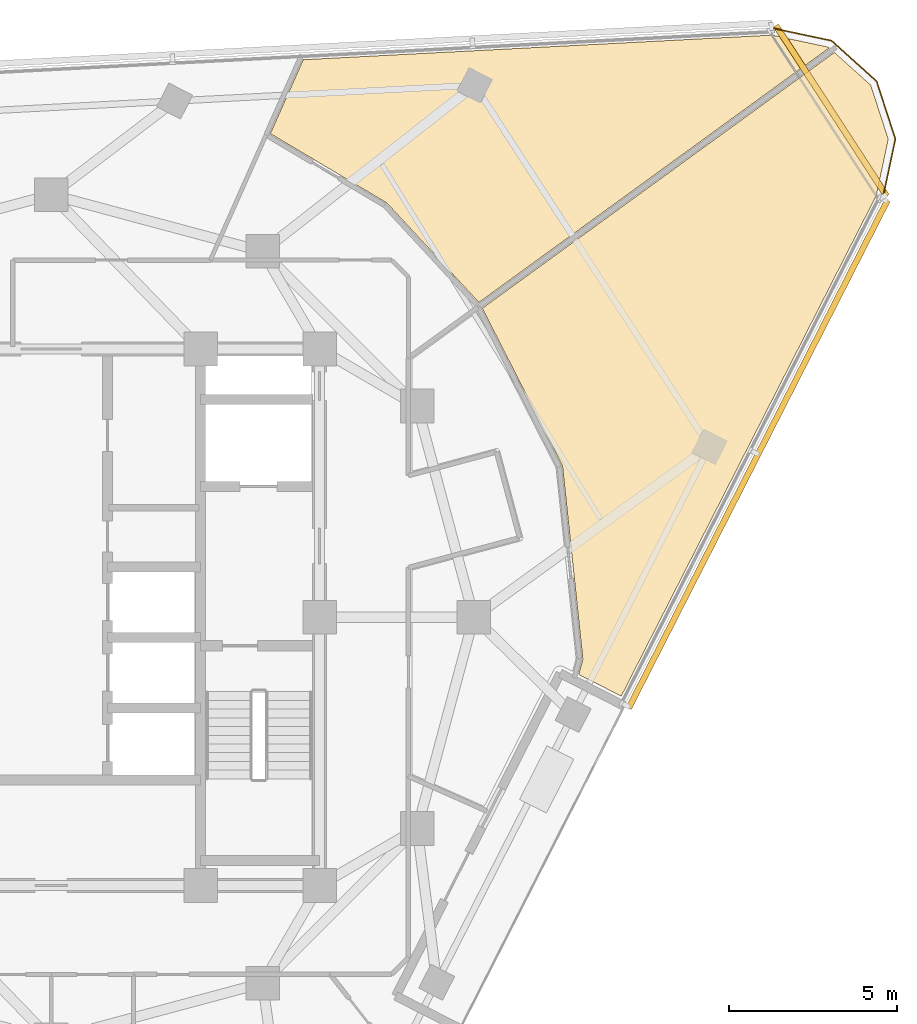
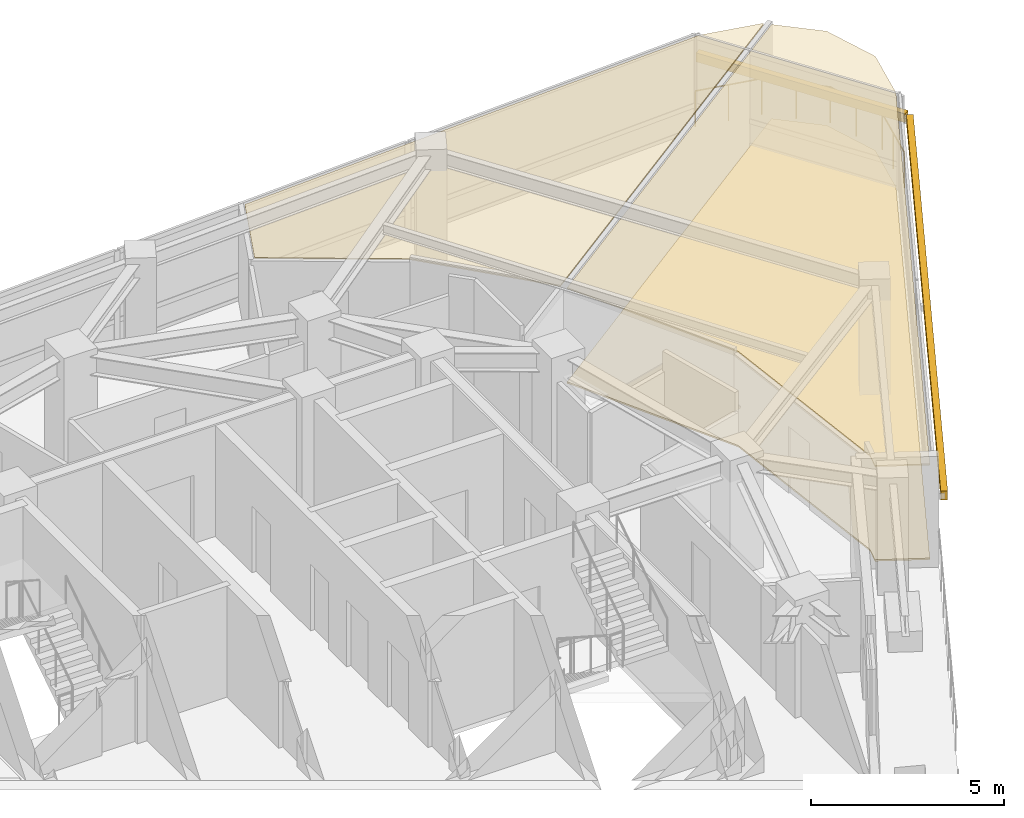
# One storey, part 15 of 15: 3 coverings, 2 shading devices, 1 railing.
"""IFC4 building model written with IfcOpenShell, lengths in metres."""

from ifc_helpers import new_model, si_unit, direction, frame, origin, origin_2d, place, context, subcontext, project, spatial, polyline, rectangle, circle, outline, extrude, material, layer, layer_set, type_object, element, save


model = new_model("IFC4")

# Units and contexts
model_context = context("Model", 3, precision=1e-05, world=origin(), true_north=direction((0.0, 1.0)))
body_context = subcontext(model_context, "Body", "Model", "MODEL_VIEW")
ifc_project = project(units=[si_unit("LENGTHUNIT", "METRE"), si_unit("AREAUNIT", "SQUARE_METRE"), si_unit("VOLUMEUNIT", "CUBIC_METRE"), si_unit("PLANEANGLEUNIT", "RADIAN"), si_unit("MASSUNIT", "GRAM", prefix="KILO")], contexts=[model_context])

# Site, building, storey
site_placement = place(None, origin())
site = spatial("IfcSite", under=ifc_project, at=site_placement, CompositionType="ELEMENT")
building_placement = place(site_placement, origin())
building = spatial("IfcBuilding", under=site, at=building_placement, Name="Terralouvre Media Tower", CompositionType="ELEMENT")
storey_placement = place(building_placement, frame((0.0, 0.0, 252.199951171875)))
storey = spatial("IfcBuildingStorey", under=building, at=storey_placement, Name="L65", CompositionType="ELEMENT", Elevation=252.199951171875)

# Coverings
ifc_material_1 = material(Name="Resilient elastomer acoustic broadcast studio flooring")
ifc_layer_1 = layer(ifc_material_1, 0.050048828125, Name="Broadcast Studio Acoustic Floating Floor FL-AC1")
ifc_layer_set_1 = layer_set([ifc_layer_1], Name="Resilient elastomer acoustic broadcast studio flooring")
covering_type_1 = type_object("IfcCoveringType", Name="Broadcast Studio Acoustic Floating Floor FL-AC1", PredefinedType="FLOORING", material=ifc_layer_set_1)
covering_1_placement = place(storey_placement, frame((0.0, 0.0, 0.0), z_axis=(0.0, 0.0, 1.0), x_axis=(0.45399049974, 0.891006524188, 0.0)))
element("IfcCovering", 1, at=covering_1_placement, inside=storey, type_object=covering_type_1, Name="L65 Chamber Rehearsal Creative Workshop 7 Acoustic Floating Floor", PredefinedType="FLOORING", context=body_context, shape_type="SweptSolid", body=[
    extrude(outline(polyline([(10.956298828125, -11.51953125), (10.95068359375, -11.52685546875), (10.9443359375, -11.533447265625), (10.937255859375, -11.539306640625), (10.929931640625, -11.544677734375), (6.1005859375, -14.68115234375), (6.092529296875, -14.685791015625), (6.084228515625, -14.689453125), (6.07568359375, -14.692626953125), (6.066650390625, -14.695068359375), (5.620361328125, -14.789794921875), (5.62060546875, -16.212646484375), (22.371337890625, -16.212646484375), (24.036376953125, -15.766845703125), (25.234130859375, -14.569091796875), (25.611083984375, -13.16162109375), (14.04541015625, -7.2685546875), (10.956298828125, -11.51953125)])), origin(), (0.0, 0.0, 1.0), 0.050048828125),
])
ifc_material_2 = material(Name="Perforated aluminium acoustic ceiling baffle", Category="aluminium")
ifc_layer_2 = layer(ifc_material_2, 0.0400390625, Name="Perforated Acoustic Metal Tile Ceiling CL-AC1")
ifc_layer_set_2 = layer_set([ifc_layer_2], Name="Perforated aluminium acoustic ceiling baffle")
covering_type_2 = type_object("IfcCoveringType", Name="Perforated Acoustic Metal Tile Ceiling CL-AC1", PredefinedType="CEILING", material=ifc_layer_set_2)
covering_2_placement = place(storey_placement, frame((0.0, 0.0, 2.97998046875), z_axis=(0.0, 0.0, 1.0), x_axis=(0.45399049974, 0.891006524188, 0.0)))
element("IfcCovering", 2, at=covering_2_placement, inside=storey, type_object=covering_type_2, Name="L65 Chamber Rehearsal Creative Workshop 7 Acoustic Ceiling", PredefinedType="CEILING", context=body_context, shape_type="SweptSolid", body=[
    extrude(outline(polyline([(10.956298828125, -11.51953125), (10.95068359375, -11.52685546875), (10.9443359375, -11.533447265625), (10.937255859375, -11.539306640625), (10.929931640625, -11.544677734375), (6.1005859375, -14.68115234375), (6.092529296875, -14.685791015625), (6.084228515625, -14.689453125), (6.07568359375, -14.692626953125), (6.066650390625, -14.695068359375), (5.620361328125, -14.789794921875), (5.62060546875, -16.212646484375), (22.371337890625, -16.212646484375), (24.036376953125, -15.766845703125), (25.234130859375, -14.569091796875), (25.611083984375, -13.16162109375), (14.04541015625, -7.2685546875), (10.956298828125, -11.51953125)])), origin(), (0.0, 0.0, 1.0), 0.0400390625),
])
covering_3_placement = place(storey_placement, frame((0.0, 0.0, 2.97998046875), z_axis=(0.0, 0.0, 1.0), x_axis=(0.45399049974, 0.891006524188, 0.0)))
element("IfcCovering", 3, at=covering_3_placement, inside=storey, type_object=covering_type_2, Name="L65 Publishing Production Workspace 8 Acoustic Ceiling", PredefinedType="CEILING", context=body_context, shape_type="SweptSolid", body=[
    extrude(outline(polyline([(15.554443359375, -3.291259765625), (15.55322265625, -3.30078125), (15.551513671875, -3.310302734375), (15.548583984375, -3.3193359375), (14.154296875, -7.099365234375), (25.663818359375, -12.9638671875), (25.672119140625, -12.932861328125), (25.226318359375, -11.267578125), (18.22705078125, 0.8544921875), (15.817626953125, 0.72900390625), (15.554443359375, -3.291259765625)])), origin(), (0.0, 0.0, 1.0), 0.0400390625),
])

# Railing
ifc_material_3 = material(Name="Stainless steel 316 handrail and balustrade", Category="steel")
ifc_layer_3 = layer(ifc_material_3, 0.06005859375, Name="Roof Edge Safety Guardrail GR-ROOF1")
ifc_layer_set_3 = layer_set([ifc_layer_3], Name="Stainless steel 316 handrail and balustrade")
railing_type = type_object("IfcRailingType", Name="Roof Edge Safety Guardrail GR-ROOF1", PredefinedType="GUARDRAIL", material=ifc_layer_set_3)
railing_placement = place(storey_placement, frame((24.797607421875, 12.491455078125, 0.0)))
element("IfcRailing", 4, at=railing_placement, inside=storey, type_object=railing_type, Name="L65 Wind-Corner Perimeter Safety Guardrail C1", PredefinedType="GUARDRAIL", context=body_context, shape_type="SweptSolid", body=[
    extrude(circle(Radius=0.02099609375, at=origin_2d()), frame((0.0, 0.0, 1.12890625), z_axis=(0.208129595218, 0.978101258354, 0.0), x_axis=(-0.978101258354, 0.208129595218, 0.0)), (0.0, 0.0, 1.0), 1.81103515625),
    extrude(circle(Radius=0.02099609375, at=origin_2d()), frame((0.376953125, 1.771484375, 1.12890625), z_axis=(-0.308857436997, 0.951108344833, 0.0), x_axis=(-0.951108344833, -0.308857436997, 0.0)), (0.0, 0.0, 1.0), 1.81103515625),
    extrude(circle(Radius=0.02099609375, at=origin_2d()), frame((-0.182373046875, 3.493896484375, 1.12890625), z_axis=(-0.743274034333, 0.668987077518, 0.0), x_axis=(-0.668987077518, -0.743274034333, 0.0)), (0.0, 0.0, 1.0), 1.810791015625),
    extrude(circle(Radius=0.02099609375, at=origin_2d()), frame((-1.5283203125, 4.705322265625, 1.12890625), z_axis=(-0.97818932942, 0.207715275821, 0.0), x_axis=(-0.207715275821, -0.97818932942, 0.0)), (0.0, 0.0, 1.0), 1.811279296875),
    extrude(circle(Radius=0.01904296875, at=origin_2d()), origin(), (0.0, 0.0, 1.0), 1.10791015625),
    extrude(circle(Radius=0.01904296875, at=origin_2d()), frame((0.1884765625, 0.8857421875, 0.0)), (0.0, 0.0, 1.0), 1.10791015625),
    extrude(circle(Radius=0.01904296875, at=origin_2d()), frame((0.376953125, 1.771484375, 0.0)), (0.0, 0.0, 1.0), 1.10791015625),
    extrude(circle(Radius=0.01904296875, at=origin_2d()), frame((0.09716796875, 2.6328125, 0.0)), (0.0, 0.0, 1.0), 1.10791015625),
    extrude(circle(Radius=0.01904296875, at=origin_2d()), frame((-0.182373046875, 3.493896484375, 0.0)), (0.0, 0.0, 1.0), 1.10791015625),
    extrude(circle(Radius=0.01904296875, at=origin_2d()), frame((-0.85546875, 4.099609375, 0.0)), (0.0, 0.0, 1.0), 1.10791015625),
    extrude(circle(Radius=0.01904296875, at=origin_2d()), frame((-1.5283203125, 4.705322265625, 0.0)), (0.0, 0.0, 1.0), 1.10791015625),
    extrude(circle(Radius=0.01904296875, at=origin_2d()), frame((-2.4140625, 4.8935546875, 0.0)), (0.0, 0.0, 1.0), 1.10791015625),
    extrude(circle(Radius=0.01904296875, at=origin_2d()), frame((-3.300048828125, 5.08154296875, 0.0)), (0.0, 0.0, 1.0), 1.10791015625),
])

# Shading devices
ifc_material_4 = material(Name="Extruded terracotta baguette sunshade louvres", Category="masonry")
shading_device_type = type_object("IfcShadingDeviceType", Name="Terracotta Baguette Sunshade Louvre Screen TB-LV1", PredefinedType="USERDEFINED", material=ifc_material_4)
shading_device_1_placement = place(storey_placement, frame((21.076904296875, 4.861083984375, 2.02392578125), z_axis=(0.0, 0.0, 1.0), x_axis=(0.453991296619, 0.891006118157, 0.0)))
element("IfcShadingDevice", 5, at=shading_device_1_placement, inside=storey, type_object=shading_device_type, Name="CW-L65-F0R Terracotta Baguette Sunshade Louvre", ObjectType="BAGUETTE", PredefinedType="USERDEFINED", context=body_context, shape_type="SweptSolid", body=[
    extrude(rectangle(XDim=17.0, YDim=0.179931640625, at=origin_2d()), origin(), (0.0, 0.0, 1.0), 0.280029296875),
])
shading_device_2_placement = place(storey_placement, frame((23.2607421875, 15.105712890625, 2.02392578125), z_axis=(0.0, 0.0, 1.0), x_axis=(-0.544639197097, 0.838670462688, 0.0)))
element("IfcShadingDevice", 6, at=shading_device_2_placement, inside=storey, type_object=shading_device_type, Name="CW-L65-C1 Terracotta Baguette Sunshade Louvre", ObjectType="BAGUETTE", PredefinedType="USERDEFINED", context=body_context, shape_type="SweptSolid", body=[
    extrude(rectangle(XDim=6.062255859375, YDim=0.179931640625, at=origin_2d()), origin(), (0.0, 0.0, 1.0), 0.280029296875),
])

save(model, "model.ifc")
